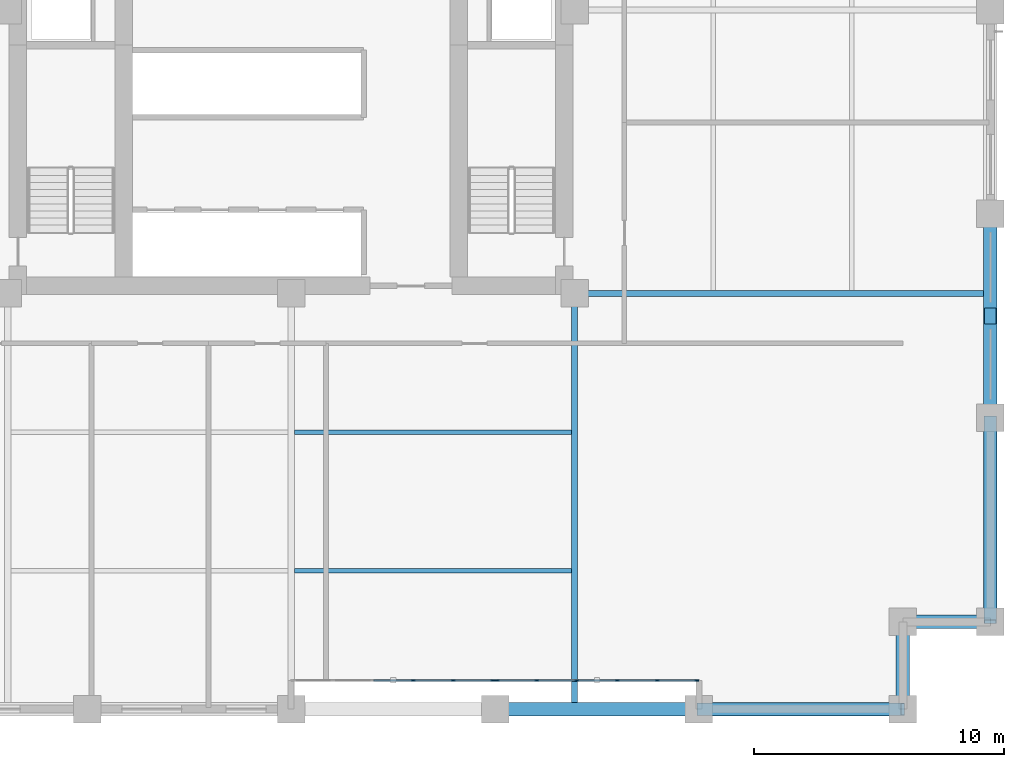
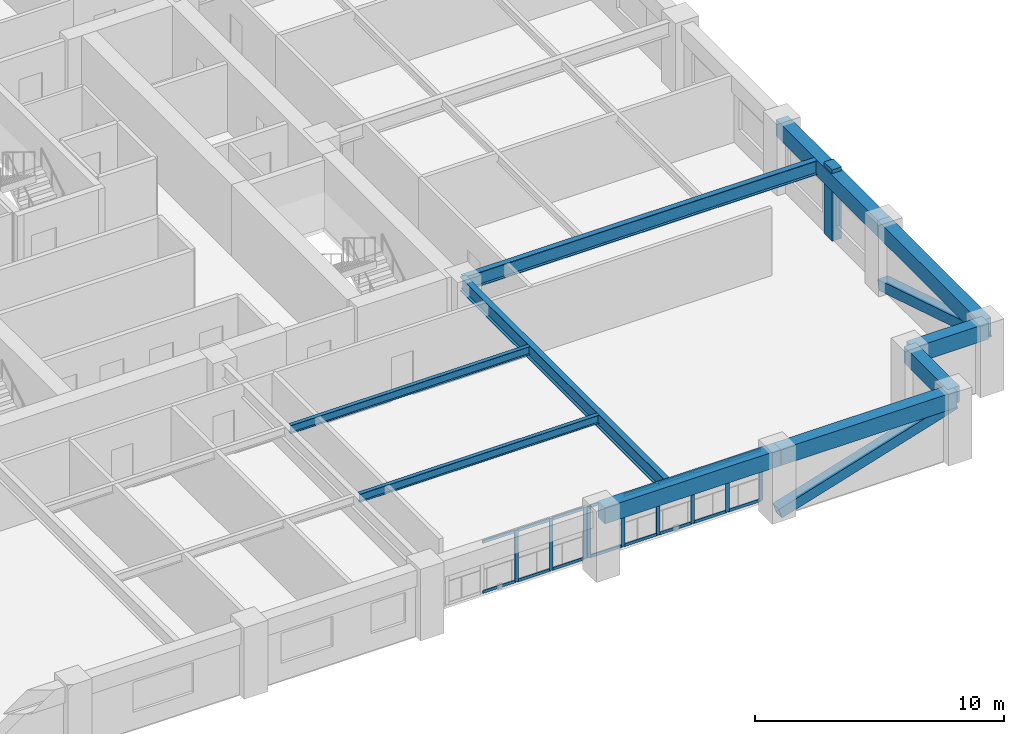
# One storey, part 4 of 13: 28 members, 10 beams, 2 elements without a shape of their own.
"""IFC4 building model written with IfcOpenShell, lengths in metres."""

from ifc_helpers import new_model, si_unit, direction, frame, origin, origin_2d, place, context, subcontext, project, spatial, rectangle, hollow_rectangle, i_section, extrude, material, layer, layer_set, material_profile, profile_set, type_object, element, aggregate, save


model = new_model("IFC4")

# Units and contexts
model_context = context("Model", 3, precision=1e-05, world=origin(), true_north=direction((0.0, 1.0)))
body_context = subcontext(model_context, "Body", "Model", "MODEL_VIEW")
ifc_project = project(units=[si_unit("LENGTHUNIT", "METRE"), si_unit("AREAUNIT", "SQUARE_METRE"), si_unit("VOLUMEUNIT", "CUBIC_METRE"), si_unit("PLANEANGLEUNIT", "RADIAN"), si_unit("MASSUNIT", "GRAM", prefix="KILO")], contexts=[model_context])

# Site, building, storey
site_placement = place(None, origin())
site = spatial("IfcSite", under=ifc_project, at=site_placement, CompositionType="ELEMENT")
building_placement = place(site_placement, origin())
building = spatial("IfcBuilding", under=site, at=building_placement, Name="Nhamokura Convention Tower", CompositionType="ELEMENT")
storey_placement = place(building_placement, frame((0.0, 0.0, 63.35009765625)))
storey = spatial("IfcBuildingStorey", under=building, at=storey_placement, Name="L14", CompositionType="ELEMENT", Elevation=63.35009765625)

# Member
ifc_material_1 = material(Name="Bronze-pigmented precast concrete C45/55", Category="concrete")
ifc_material_profile_1 = material_profile(ifc_material_1, rectangle(XDim=0.449951171875, YDim=0.64990234375, at=origin_2d()))
ifc_profile_set_1 = profile_set([ifc_material_profile_1], Name="Bronze-pigmented precast concrete C45/55")
member_type_1 = type_object("IfcMemberType", Name="BronzePilaster_650", PredefinedType="USERDEFINED", material=ifc_profile_set_1)
member_1_placement = place(storey_placement, frame((60.0, 19.75, 0.0), z_axis=(0.0, 0.0, 1.0), x_axis=(1.0, 0.0, 0.0)))
element("IfcMember", 1, at=member_1_placement, inside=storey, type_object=member_type_1, Name="L14 Engaged Frame Pilaster EAST 1", ObjectType="PILASTER_TRIM", PredefinedType="USERDEFINED", context=body_context, shape_type="SweptSolid", body=[
    extrude(rectangle(XDim=0.449951171875, YDim=0.64990234375, at=origin_2d()), origin(), (0.0, 0.0, 1.0), 3.5),
])

# Curtain wall, members
ifc_material_2 = material(Name="Anodised bronze aluminium AA6063-T6", Category="aluminium")
ifc_layer = layer(ifc_material_2, 0.1650390625)
ifc_layer_set = layer_set([ifc_layer], Name="CWSystem_ScaleSlot_Zone1")
curtain_wall_type = type_object("IfcCurtainWallType", Name="CWSystem_ScaleSlot_Zone1", PredefinedType="NOTDEFINED", material=ifc_layer_set)
curtain_wall_1_placement = place(storey_placement, origin())
curtain_wall_1 = element("IfcCurtainWall", 2, at=curtain_wall_1_placement, inside=storey, type_object=curtain_wall_type, Name="L14 Curtain Wall ENV-L14-SLOT-S3", PredefinedType="NOTDEFINED")
ifc_material_3 = material(Name="Anodised bronze aluminium AA6063-T6", Category="aluminium")
ifc_material_profile_2 = material_profile(ifc_material_3, rectangle(XDim=0.06494140625, YDim=0.1650390625, at=origin_2d()))
ifc_profile_set_2 = profile_set([ifc_material_profile_2], Name="Anodised bronze aluminium AA6063-T6")
member_type_2 = type_object("IfcMemberType", Name="CWMullion_3", PredefinedType="MULLION", material=ifc_profile_set_2)
member_2_placement = place(storey_placement, frame((40.07421875, 5.14990234375, 0.0), z_axis=(0.0, 0.0, 1.0), x_axis=(0.0, -1.0, 0.0)))
member_2 = element("IfcMember", 3, at=member_2_placement, type_object=member_type_2, Name="CW-03 mullion 1", PredefinedType="MULLION", context=body_context, shape_type="SweptSolid", body=[
    extrude(rectangle(XDim=0.06494140625, YDim=0.1650390625, at=origin_2d()), origin(), (0.0, 0.0, 1.0), 2.52001953125),
])
member_3_placement = place(storey_placement, frame((38.497314453125, 5.14990234375, 0.0), z_axis=(0.0, 0.0, 1.0), x_axis=(0.0, -1.0, 0.0)))
member_3 = element("IfcMember", 4, at=member_3_placement, type_object=member_type_2, Name="CW-03 mullion 2", PredefinedType="MULLION", context=body_context, shape_type="SweptSolid", body=[
    extrude(rectangle(XDim=0.06494140625, YDim=0.1650390625, at=origin_2d()), origin(), (0.0, 0.0, 1.0), 2.52001953125),
])
member_4_placement = place(storey_placement, frame((36.887939453125, 5.14990234375, 0.0), z_axis=(0.0, 0.0, 1.0), x_axis=(0.0, -1.0, 0.0)))
member_4 = element("IfcMember", 5, at=member_4_placement, type_object=member_type_2, Name="CW-03 mullion 3", PredefinedType="MULLION", context=body_context, shape_type="SweptSolid", body=[
    extrude(rectangle(XDim=0.06494140625, YDim=0.1650390625, at=origin_2d()), origin(), (0.0, 0.0, 1.0), 2.52001953125),
])

curtain_wall_2_placement = place(storey_placement, origin())
curtain_wall_2 = element("IfcCurtainWall", 6, at=curtain_wall_2_placement, inside=storey, type_object=curtain_wall_type, Name="L14 Curtain Wall ENV-L14-SLOT-S4", PredefinedType="NOTDEFINED")
member_5_placement = place(storey_placement, frame((48.24072265625, 5.14990234375, 0.0), z_axis=(0.0, 0.0, 1.0), x_axis=(0.0, -1.0, 0.0)))
member_5 = element("IfcMember", 7, at=member_5_placement, type_object=member_type_2, Name="CW-03 mullion 1", PredefinedType="MULLION", context=body_context, shape_type="SweptSolid", body=[
    extrude(rectangle(XDim=0.06494140625, YDim=0.1650390625, at=origin_2d()), origin(), (0.0, 0.0, 1.0), 2.52001953125),
])
member_6_placement = place(storey_placement, frame((46.6640625, 5.14990234375, 0.0), z_axis=(0.0, 0.0, 1.0), x_axis=(0.0, -1.0, 0.0)))
member_6 = element("IfcMember", 8, at=member_6_placement, type_object=member_type_2, Name="CW-03 mullion 2", PredefinedType="MULLION", context=body_context, shape_type="SweptSolid", body=[
    extrude(rectangle(XDim=0.06494140625, YDim=0.1650390625, at=origin_2d()), origin(), (0.0, 0.0, 1.0), 2.52001953125),
])
member_7_placement = place(storey_placement, frame((45.0546875, 5.14990234375, 0.0), z_axis=(0.0, 0.0, 1.0), x_axis=(0.0, -1.0, 0.0)))
member_7 = element("IfcMember", 9, at=member_7_placement, type_object=member_type_2, Name="CW-03 mullion 3", PredefinedType="MULLION", context=body_context, shape_type="SweptSolid", body=[
    extrude(rectangle(XDim=0.06494140625, YDim=0.1650390625, at=origin_2d()), origin(), (0.0, 0.0, 1.0), 2.52001953125),
])
member_8_placement = place(storey_placement, frame((43.4453125, 5.14990234375, 0.0), z_axis=(0.0, 0.0, 1.0), x_axis=(0.0, -1.0, 0.0)))
member_8 = element("IfcMember", 10, at=member_8_placement, type_object=member_type_2, Name="CW-03 mullion 4", PredefinedType="MULLION", context=body_context, shape_type="SweptSolid", body=[
    extrude(rectangle(XDim=0.06494140625, YDim=0.1650390625, at=origin_2d()), origin(), (0.0, 0.0, 1.0), 2.52001953125),
])
member_9_placement = place(storey_placement, frame((41.8359375, 5.14990234375, 0.0), z_axis=(0.0, 0.0, 1.0), x_axis=(0.0, -1.0, 0.0)))
member_9 = element("IfcMember", 11, at=member_9_placement, type_object=member_type_2, Name="CW-03 mullion 5", PredefinedType="MULLION", context=body_context, shape_type="SweptSolid", body=[
    extrude(rectangle(XDim=0.06494140625, YDim=0.1650390625, at=origin_2d()), origin(), (0.0, 0.0, 1.0), 2.52001953125),
])
member_10_placement = place(storey_placement, frame((40.25927734375, 5.14990234375, 0.0), z_axis=(0.0, 0.0, 1.0), x_axis=(0.0, -1.0, 0.0)))
member_10 = element("IfcMember", 12, at=member_10_placement, type_object=member_type_2, Name="CW-03 mullion 6", PredefinedType="MULLION", context=body_context, shape_type="SweptSolid", body=[
    extrude(rectangle(XDim=0.06494140625, YDim=0.1650390625, at=origin_2d()), origin(), (0.0, 0.0, 1.0), 2.52001953125),
])

# Member
ifc_material_4 = material(Name="Anodised bronze aluminium AA6063-T6", Category="aluminium")
ifc_material_profile_3 = material_profile(ifc_material_4, rectangle(XDim=0.06494140625, YDim=0.139892578125, at=origin_2d()))
ifc_profile_set_3 = profile_set([ifc_material_profile_3], Name="Anodised bronze aluminium AA6063-T6")
member_type_3 = type_object("IfcMemberType", Name="CWTransom_3", PredefinedType="USERDEFINED", material=ifc_profile_set_3)
member_11_placement = place(storey_placement, frame((40.041748046875, 5.14990234375, 0.032470703125), z_axis=(-1.0, 0.0, 0.0), x_axis=(0.0, -1.0, 0.0)))
member_11 = element("IfcMember", 13, at=member_11_placement, type_object=member_type_3, Name="CW-03 transom 1.1", ObjectType="TRANSOM", PredefinedType="USERDEFINED", context=body_context, shape_type="SweptSolid", body=[
    extrude(rectangle(XDim=0.06494140625, YDim=0.139892578125, at=origin_2d()), origin(), (0.0, 0.0, 1.0), 1.511962890625),
])

member_12_placement = place(storey_placement, frame((40.041748046875, 5.14990234375, 2.4873046875), z_axis=(-1.0, 0.0, 0.0), x_axis=(0.0, -1.0, 0.0)))
member_12 = element("IfcMember", 14, at=member_12_placement, type_object=member_type_3, Name="CW-03 transom 1.2", ObjectType="TRANSOM", PredefinedType="USERDEFINED", context=body_context, shape_type="SweptSolid", body=[
    extrude(rectangle(XDim=0.06494140625, YDim=0.139892578125, at=origin_2d()), origin(), (0.0, 0.0, 1.0), 1.511962890625),
])

member_13_placement = place(storey_placement, frame((38.46484375, 5.14990234375, 0.032470703125), z_axis=(-1.0, 0.0, 0.0), x_axis=(0.0, -1.0, 0.0)))
member_13 = element("IfcMember", 15, at=member_13_placement, type_object=member_type_3, Name="CW-03 transom 2.1", ObjectType="TRANSOM", PredefinedType="USERDEFINED", context=body_context, shape_type="SweptSolid", body=[
    extrude(rectangle(XDim=0.06494140625, YDim=0.139892578125, at=origin_2d()), origin(), (0.0, 0.0, 1.0), 1.54443359375),
])

member_14_placement = place(storey_placement, frame((38.46484375, 5.14990234375, 2.4873046875), z_axis=(-1.0, 0.0, 0.0), x_axis=(0.0, -1.0, 0.0)))
member_14 = element("IfcMember", 16, at=member_14_placement, type_object=member_type_3, Name="CW-03 transom 2.2", ObjectType="TRANSOM", PredefinedType="USERDEFINED", context=body_context, shape_type="SweptSolid", body=[
    extrude(rectangle(XDim=0.06494140625, YDim=0.139892578125, at=origin_2d()), origin(), (0.0, 0.0, 1.0), 1.54443359375),
])

member_15_placement = place(storey_placement, frame((36.85546875, 5.14990234375, 0.032470703125), z_axis=(-1.0, 0.0, 0.0), x_axis=(0.0, -1.0, 0.0)))
member_15 = element("IfcMember", 17, at=member_15_placement, type_object=member_type_3, Name="CW-03 transom 3.1", ObjectType="TRANSOM", PredefinedType="USERDEFINED", context=body_context, shape_type="SweptSolid", body=[
    extrude(rectangle(XDim=0.06494140625, YDim=0.139892578125, at=origin_2d()), origin(), (0.0, 0.0, 1.0), 1.544189453125),
])

member_16_placement = place(storey_placement, frame((36.85546875, 5.14990234375, 2.4873046875), z_axis=(-1.0, 0.0, 0.0), x_axis=(0.0, -1.0, 0.0)))
member_16 = element("IfcMember", 18, at=member_16_placement, type_object=member_type_3, Name="CW-03 transom 3.2", ObjectType="TRANSOM", PredefinedType="USERDEFINED", context=body_context, shape_type="SweptSolid", body=[
    extrude(rectangle(XDim=0.06494140625, YDim=0.139892578125, at=origin_2d()), origin(), (0.0, 0.0, 1.0), 1.544189453125),
])

aggregate(curtain_wall_1, [member_2, member_3, member_4, member_11, member_12, member_13, member_14, member_15, member_16])

member_17_placement = place(storey_placement, frame((48.208251953125, 5.14990234375, 0.032470703125), z_axis=(-1.0, 0.0, 0.0), x_axis=(0.0, -1.0, 0.0)))
member_17 = element("IfcMember", 19, at=member_17_placement, type_object=member_type_3, Name="CW-03 transom 1.1", ObjectType="TRANSOM", PredefinedType="USERDEFINED", context=body_context, shape_type="SweptSolid", body=[
    extrude(rectangle(XDim=0.06494140625, YDim=0.139892578125, at=origin_2d()), origin(), (0.0, 0.0, 1.0), 1.51171875),
])

member_18_placement = place(storey_placement, frame((48.208251953125, 5.14990234375, 2.4873046875), z_axis=(-1.0, 0.0, 0.0), x_axis=(0.0, -1.0, 0.0)))
member_18 = element("IfcMember", 20, at=member_18_placement, type_object=member_type_3, Name="CW-03 transom 1.2", ObjectType="TRANSOM", PredefinedType="USERDEFINED", context=body_context, shape_type="SweptSolid", body=[
    extrude(rectangle(XDim=0.06494140625, YDim=0.139892578125, at=origin_2d()), origin(), (0.0, 0.0, 1.0), 1.51171875),
])

member_19_placement = place(storey_placement, frame((46.631591796875, 5.14990234375, 0.032470703125), z_axis=(-1.0, 0.0, 0.0), x_axis=(0.0, -1.0, 0.0)))
member_19 = element("IfcMember", 21, at=member_19_placement, type_object=member_type_3, Name="CW-03 transom 2.1", ObjectType="TRANSOM", PredefinedType="USERDEFINED", context=body_context, shape_type="SweptSolid", body=[
    extrude(rectangle(XDim=0.06494140625, YDim=0.139892578125, at=origin_2d()), origin(), (0.0, 0.0, 1.0), 1.54443359375),
])

member_20_placement = place(storey_placement, frame((46.631591796875, 5.14990234375, 2.4873046875), z_axis=(-1.0, 0.0, 0.0), x_axis=(0.0, -1.0, 0.0)))
member_20 = element("IfcMember", 22, at=member_20_placement, type_object=member_type_3, Name="CW-03 transom 2.2", ObjectType="TRANSOM", PredefinedType="USERDEFINED", context=body_context, shape_type="SweptSolid", body=[
    extrude(rectangle(XDim=0.06494140625, YDim=0.139892578125, at=origin_2d()), origin(), (0.0, 0.0, 1.0), 1.54443359375),
])

member_21_placement = place(storey_placement, frame((45.022216796875, 5.14990234375, 0.032470703125), z_axis=(-1.0, 0.0, 0.0), x_axis=(0.0, -1.0, 0.0)))
member_21 = element("IfcMember", 23, at=member_21_placement, type_object=member_type_3, Name="CW-03 transom 3.1", ObjectType="TRANSOM", PredefinedType="USERDEFINED", context=body_context, shape_type="SweptSolid", body=[
    extrude(rectangle(XDim=0.06494140625, YDim=0.139892578125, at=origin_2d()), origin(), (0.0, 0.0, 1.0), 1.54443359375),
])

member_22_placement = place(storey_placement, frame((45.022216796875, 5.14990234375, 2.4873046875), z_axis=(-1.0, 0.0, 0.0), x_axis=(0.0, -1.0, 0.0)))
member_22 = element("IfcMember", 24, at=member_22_placement, type_object=member_type_3, Name="CW-03 transom 3.2", ObjectType="TRANSOM", PredefinedType="USERDEFINED", context=body_context, shape_type="SweptSolid", body=[
    extrude(rectangle(XDim=0.06494140625, YDim=0.139892578125, at=origin_2d()), origin(), (0.0, 0.0, 1.0), 1.54443359375),
])

member_23_placement = place(storey_placement, frame((43.412841796875, 5.14990234375, 0.032470703125), z_axis=(-1.0, 0.0, 0.0), x_axis=(0.0, -1.0, 0.0)))
member_23 = element("IfcMember", 25, at=member_23_placement, type_object=member_type_3, Name="CW-03 transom 4.1", ObjectType="TRANSOM", PredefinedType="USERDEFINED", context=body_context, shape_type="SweptSolid", body=[
    extrude(rectangle(XDim=0.06494140625, YDim=0.139892578125, at=origin_2d()), origin(), (0.0, 0.0, 1.0), 1.54443359375),
])

member_24_placement = place(storey_placement, frame((43.412841796875, 5.14990234375, 2.4873046875), z_axis=(-1.0, 0.0, 0.0), x_axis=(0.0, -1.0, 0.0)))
member_24 = element("IfcMember", 26, at=member_24_placement, type_object=member_type_3, Name="CW-03 transom 4.2", ObjectType="TRANSOM", PredefinedType="USERDEFINED", context=body_context, shape_type="SweptSolid", body=[
    extrude(rectangle(XDim=0.06494140625, YDim=0.139892578125, at=origin_2d()), origin(), (0.0, 0.0, 1.0), 1.54443359375),
])

member_25_placement = place(storey_placement, frame((41.803466796875, 5.14990234375, 0.032470703125), z_axis=(-1.0, 0.0, 0.0), x_axis=(0.0, -1.0, 0.0)))
member_25 = element("IfcMember", 27, at=member_25_placement, type_object=member_type_3, Name="CW-03 transom 5.1", ObjectType="TRANSOM", PredefinedType="USERDEFINED", context=body_context, shape_type="SweptSolid", body=[
    extrude(rectangle(XDim=0.06494140625, YDim=0.139892578125, at=origin_2d()), origin(), (0.0, 0.0, 1.0), 1.51171875),
])

member_26_placement = place(storey_placement, frame((41.803466796875, 5.14990234375, 2.4873046875), z_axis=(-1.0, 0.0, 0.0), x_axis=(0.0, -1.0, 0.0)))
member_26 = element("IfcMember", 28, at=member_26_placement, type_object=member_type_3, Name="CW-03 transom 5.2", ObjectType="TRANSOM", PredefinedType="USERDEFINED", context=body_context, shape_type="SweptSolid", body=[
    extrude(rectangle(XDim=0.06494140625, YDim=0.139892578125, at=origin_2d()), origin(), (0.0, 0.0, 1.0), 1.51171875),
])

aggregate(curtain_wall_2, [member_5, member_6, member_7, member_8, member_9, member_10, member_17, member_18, member_19, member_20, member_21, member_22, member_23, member_24, member_25, member_26])

# Beams
ifc_material_5 = material(Name="Steel ASTM A992 Gr 50", Category="steel")
ifc_material_profile_4 = material_profile(ifc_material_5, i_section(OverallWidth=0.178955078125, OverallDepth=0.409912109375, WebThickness=0.0087890625, FlangeThickness=0.014404296875, at=origin_2d()))
ifc_profile_set_4 = profile_set([ifc_material_profile_4], Name="Steel ASTM A992 Gr 50")
beam_type_1 = type_object("IfcBeamType", Name="FloorJoist_W410X67", PredefinedType="JOIST", material=ifc_profile_set_4)
for number, where, z_axis, x_axis, name in (
    (29, (32.1259765625, 9.550048828125, 3.114990234375), (1.0, 0.0, 0.0), (0.0, 1.0, 0.0), "L14 Composite Floor Joist S1B"),
    (30, (32.1259765625, 15.10009765625, 3.114990234375), (1.0, 0.0, 0.0), (0.0, 1.0, 0.0), "L14 Composite Floor Joist S2B"),
):
    element("IfcBeam", number, at=place(storey_placement, frame(where, z_axis=z_axis, x_axis=x_axis)), inside=storey, type_object=beam_type_1, Name=name, PredefinedType="JOIST", context=body_context, shape_type="SweptSolid", body=[
        extrude(i_section(OverallWidth=0.178955078125, OverallDepth=0.409912109375, WebThickness=0.0087890625, FlangeThickness=0.014404296875, at=origin_2d()), origin(), (0.0, 0.0, 1.0), 11.09814453125),
    ])
ifc_material_6 = material(Name="Steel ASTM A992 Gr 50", Category="steel")
ifc_material_profile_5 = material_profile(ifc_material_6, i_section(OverallWidth=0.256103515625, OverallDepth=0.693115234375, WebThickness=0.014404296875, FlangeThickness=0.023681640625, at=origin_2d()))
ifc_profile_set_5 = profile_set([ifc_material_profile_5], Name="Steel ASTM A992 Gr 50")
beam_type_2 = type_object("IfcBeamType", Name="PrimaryGirder_W690X170", PredefinedType="BEAM", material=ifc_profile_set_5)
for number, where, z_axis, x_axis, name in (
    (31, (43.35009765625, 4.0, 2.973388671875), (0.0, 1.0, 0.0), (-1.0, 0.0, 0.0), "L14 Primary Floor Girder PG-S3"),
    (32, (43.35009765625, 20.64990234375, 2.973388671875), (1.0, 0.0, 0.0), (0.0, 1.0, 0.0), "L14 Primary Floor Girder PG-E1"),
):
    element("IfcBeam", number, at=place(storey_placement, frame(where, z_axis=z_axis, x_axis=x_axis)), inside=storey, type_object=beam_type_2, Name=name, PredefinedType="BEAM", context=body_context, shape_type="SweptSolid", body=[
        extrude(i_section(OverallWidth=0.256103515625, OverallDepth=0.693115234375, WebThickness=0.014404296875, FlangeThickness=0.023681640625, at=origin_2d()), origin(), (0.0, 0.0, 1.0), 16.64990234375),
    ])

# Members
ifc_material_7 = material(Name="Steel ASTM A572 Gr 50", Category="steel")
ifc_material_profile_6 = material_profile(ifc_material_7, hollow_rectangle(XDim=0.5, YDim=0.5, WallThickness=0.02490234375, at=origin_2d()))
ifc_profile_set_6 = profile_set([ifc_material_profile_6], Name="Steel ASTM A572 Gr 50")
member_type_4 = type_object("IfcMemberType", Name="TubeBrace_HSS500", PredefinedType="BRACE", material=ifc_profile_set_6)
for number, where, z_axis, x_axis, name in (
    (33, (48.333251953125, 4.0, 0.14990234375), (0.955542765986, 0.0, 0.294852543437), (0.0, 1.0, 0.0), "L14 Perimeter Tube Brace SOUTH Bay 5"),
    (34, (60.0, 15.666748046875, 0.14990234375), (0.0, -0.955542765986, 0.294852543437), (1.0, 0.0, 0.0), "L14 Perimeter Tube Brace EAST Bay 0"),
):
    element("IfcMember", number, at=place(storey_placement, frame(where, z_axis=z_axis, x_axis=x_axis)), inside=storey, type_object=member_type_4, Name=name, PredefinedType="BRACE", context=body_context, shape_type="SweptSolid", body=[
        extrude(hollow_rectangle(XDim=0.5, YDim=0.5, WallThickness=0.02490234375, at=origin_2d()), origin(), (0.0, 0.0, 1.0), 8.546630859375),
    ])

# Beams
ifc_material_8 = material(Name="Concrete C50/60", Category="concrete")
ifc_material_profile_7 = material_profile(ifc_material_8, rectangle(XDim=0.550048828125, YDim=0.800048828125, at=origin_2d()))
ifc_profile_set_7 = profile_set([ifc_material_profile_7], Name="Concrete C50/60")
beam_type_3 = type_object("IfcBeamType", Name="TubeSpandrel_800", PredefinedType="SPANDREL", material=ifc_profile_set_7)
beam_1_placement = place(storey_placement, frame((40.166748046875, 4.0, 2.919921875), z_axis=(1.0, 0.0, 0.0), x_axis=(0.0, 1.0, 0.0)))
element("IfcBeam", 35, at=beam_1_placement, inside=storey, type_object=beam_type_3, Name="L14 Perimeter Spandrel SOUTH 5", PredefinedType="SPANDREL", context=body_context, shape_type="SweptSolid", body=[
    extrude(rectangle(XDim=0.550048828125, YDim=0.800048828125, at=origin_2d()), origin(), (0.0, 0.0, 1.0), 8.16650390625),
])
for number, where, z_axis, x_axis, name in (
    (36, (48.333251953125, 4.0, 2.919921875), (1.0, 0.0, 0.0), (0.0, 1.0, 0.0), "L14 Perimeter Spandrel SOUTH 6"),
    (37, (60.0, 7.5, 2.919921875), (0.0, 1.0, 0.0), (-1.0, 0.0, 0.0), "L14 Perimeter Spandrel EAST 1"),
):
    element("IfcBeam", number, at=place(storey_placement, frame(where, z_axis=z_axis, x_axis=x_axis)), inside=storey, type_object=beam_type_3, Name=name, PredefinedType="SPANDREL", context=body_context, shape_type="SweptSolid", body=[
        extrude(rectangle(XDim=0.550048828125, YDim=0.800048828125, at=origin_2d()), origin(), (0.0, 0.0, 1.0), 8.166748046875),
    ])
beam_2_placement = place(storey_placement, frame((60.0, 15.666748046875, 2.919921875), z_axis=(0.0, 1.0, 0.0), x_axis=(-1.0, 0.0, 0.0)))
element("IfcBeam", 38, at=beam_2_placement, inside=storey, type_object=beam_type_3, Name="L14 Perimeter Spandrel EAST 2", PredefinedType="SPANDREL", context=body_context, shape_type="SweptSolid", body=[
    extrude(rectangle(XDim=0.550048828125, YDim=0.800048828125, at=origin_2d()), origin(), (0.0, 0.0, 1.0), 8.16650390625),
])
for number, where, z_axis, x_axis, name in (
    (39, (56.5, 4.0, 2.919921875), (0.0, 1.0, 0.0), (-1.0, 0.0, 0.0), "L14 Notch Spandrel SE1"),
    (40, (56.5, 7.5, 2.919921875), (1.0, 0.0, 0.0), (0.0, 1.0, 0.0), "L14 Notch Spandrel SE2"),
):
    element("IfcBeam", number, at=place(storey_placement, frame(where, z_axis=z_axis, x_axis=x_axis)), inside=storey, type_object=beam_type_3, Name=name, PredefinedType="SPANDREL", context=body_context, shape_type="SweptSolid", body=[
        extrude(rectangle(XDim=0.550048828125, YDim=0.800048828125, at=origin_2d()), origin(), (0.0, 0.0, 1.0), 3.5),
    ])

save(model, "model.ifc")
